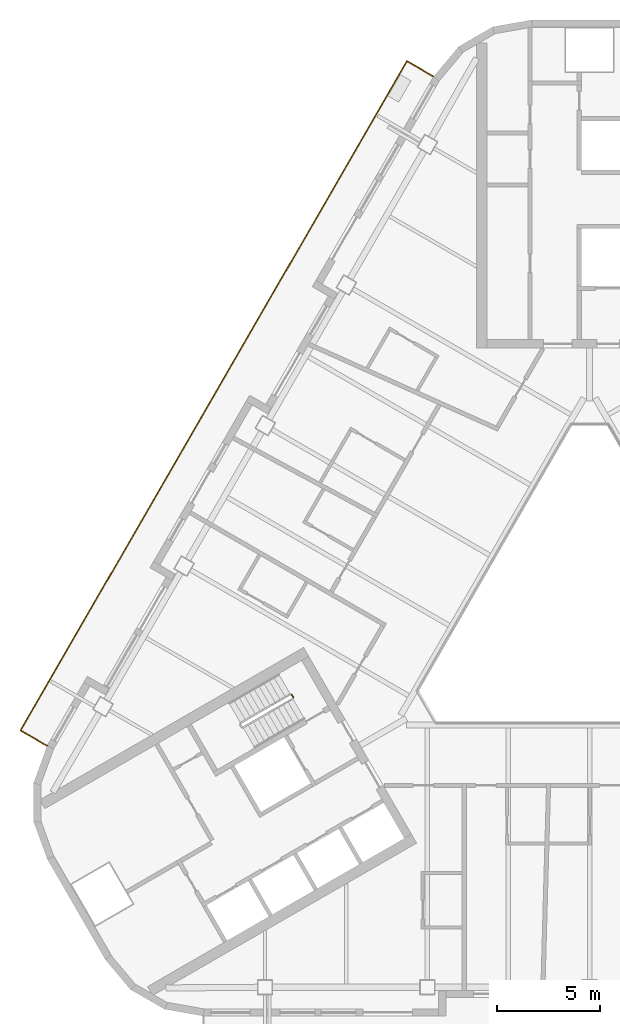
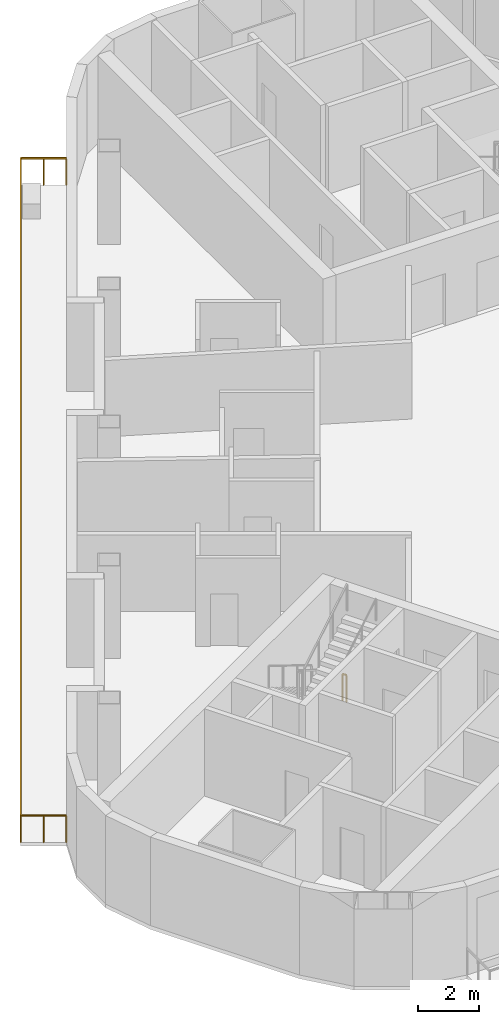
# One storey, part 11 of 14: 2 railings.
"""IFC4 building model written with IfcOpenShell, lengths in metres."""

from ifc_helpers import new_model, si_unit, direction, frame, origin, origin_2d, place, context, subcontext, project, spatial, rectangle, extrude, material, type_object, element, save


model = new_model("IFC4")

# Units and contexts
model_context = context("Model", 3, precision=1e-05, world=origin(), true_north=direction((0.0, 1.0)))
body_context = subcontext(model_context, "Body", "Model", "MODEL_VIEW")
ifc_project = project(units=[si_unit("LENGTHUNIT", "METRE"), si_unit("AREAUNIT", "SQUARE_METRE"), si_unit("VOLUMEUNIT", "CUBIC_METRE"), si_unit("PLANEANGLEUNIT", "RADIAN"), si_unit("MASSUNIT", "GRAM", prefix="KILO")], contexts=[model_context])

# Site, building, storey
site_placement = place(None, origin())
site = spatial("IfcSite", under=ifc_project, at=site_placement, CompositionType="ELEMENT")
building_placement = place(site_placement, origin())
building = spatial("IfcBuilding", under=site, at=building_placement, Name="Apuvela Tower Hotel", CompositionType="ELEMENT")
storey_placement = place(building_placement, frame((0.0, 0.0, 220.60009765625)))
storey = spatial("IfcBuildingStorey", under=building, at=storey_placement, Name="L54", CompositionType="ELEMENT", Elevation=220.60009765625)

# Railings
ifc_material_1 = material(Name="Steel S275 balustrade", Category="steel")
railing_type_1 = type_object("IfcRailingType", Name="COR-GUARD-1100", PredefinedType="GUARDRAIL", material=ifc_material_1)
railing_1_placement = place(storey_placement, frame((-14.500732421875, -3.984130859375, 0.0)))
element("IfcRailing", 1, at=railing_1_placement, inside=storey, type_object=railing_type_1, Name="L54 ST2 stair guard 4", PredefinedType="GUARDRAIL", context=body_context, shape_type="SweptSolid", body=[
    extrude(rectangle(XDim=0.048095703125, YDim=0.048095703125, at=origin_2d()), frame((0.0, 0.0, 1.076171875), z_axis=(0.499816412211, -0.866131372301, 0.0), x_axis=(0.866131372301, 0.499816412211, 0.0)), (0.0, 0.0, 1.0), 0.14990234375),
    extrude(rectangle(XDim=0.0419921875, YDim=0.0419921875, at=origin_2d()), origin(), (0.0, 0.0, 1.0), 1.052001953125),
    extrude(rectangle(XDim=0.0419921875, YDim=0.0419921875, at=origin_2d()), frame((0.074951171875, -0.1298828125, 0.0)), (0.0, 0.0, 1.0), 1.052001953125),
])
ifc_material_2 = material(Name="Stainless steel 316 rail with laminated glass infill", Category="steel")
railing_type_2 = type_object("IfcRailingType", Name="ENV-GUARD-1100", PredefinedType="GUARDRAIL", material=ifc_material_2)
railing_2_placement = place(storey_placement, frame((-7.59228515625, 26.110107421875, 0.0)))
element("IfcRailing", 2, at=railing_2_placement, inside=storey, type_object=railing_type_2, Name="Balcony guard NW L54", PredefinedType="GUARDRAIL", context=body_context, shape_type="SweptSolid", body=[
    extrude(rectangle(XDim=0.050048828125, YDim=0.050048828125, at=origin_2d()), frame((0.0, 0.0, 1.0751953125), z_axis=(-0.86599040064, 0.500060622324, 0.0), x_axis=(-0.500060622324, -0.86599040064, 0.0)), (0.0, 0.0, 1.0), 1.499755859375),
    extrude(rectangle(XDim=0.050048828125, YDim=0.050048828125, at=origin_2d()), frame((-1.298828125, 0.75, 1.0751953125), z_axis=(-0.500000437506, -0.86602515119, 0.0), x_axis=(0.86602515119, -0.500000437506, 0.0)), (0.0, 0.0, 1.0), 37.6318359375),
    extrude(rectangle(XDim=0.050048828125, YDim=0.050048828125, at=origin_2d()), frame((-20.11474609375, -31.840087890625, 1.0751953125), z_axis=(0.866031096941, -0.499990139034, 0.0), x_axis=(0.499990139034, 0.866031096941, 0.0)), (0.0, 0.0, 1.0), 1.5),
    extrude(rectangle(XDim=0.0400390625, YDim=0.0400390625, at=origin_2d()), origin(), (0.0, 0.0, 1.0), 1.050048828125),
    extrude(rectangle(XDim=0.0400390625, YDim=0.0400390625, at=origin_2d()), frame((-0.6494140625, 0.375, 0.0)), (0.0, 0.0, 1.0), 1.050048828125),
    extrude(rectangle(XDim=0.0400390625, YDim=0.0400390625, at=origin_2d()), frame((-1.298828125, 0.75, 0.0)), (0.0, 0.0, 1.0), 1.050048828125),
    extrude(rectangle(XDim=0.0400390625, YDim=0.0400390625, at=origin_2d()), frame((-1.88671875, -0.2685546875, 0.0)), (0.0, 0.0, 1.0), 1.050048828125),
    extrude(rectangle(XDim=0.0400390625, YDim=0.0400390625, at=origin_2d()), frame((-2.474853515625, -1.286865234375, 0.0)), (0.0, 0.0, 1.0), 1.050048828125),
    extrude(rectangle(XDim=0.0400390625, YDim=0.0400390625, at=origin_2d()), frame((-3.062744140625, -2.305419921875, 0.0)), (0.0, 0.0, 1.0), 1.050048828125),
    extrude(rectangle(XDim=0.0400390625, YDim=0.0400390625, at=origin_2d()), frame((-3.65087890625, -3.32373046875, 0.0)), (0.0, 0.0, 1.0), 1.050048828125),
    extrude(rectangle(XDim=0.0400390625, YDim=0.0400390625, at=origin_2d()), frame((-4.23876953125, -4.34228515625, 0.0)), (0.0, 0.0, 1.0), 1.050048828125),
    extrude(rectangle(XDim=0.0400390625, YDim=0.0400390625, at=origin_2d()), frame((-4.826904296875, -5.360595703125, 0.0)), (0.0, 0.0, 1.0), 1.050048828125),
    extrude(rectangle(XDim=0.0400390625, YDim=0.0400390625, at=origin_2d()), frame((-5.414794921875, -6.379150390625, 0.0)), (0.0, 0.0, 1.0), 1.050048828125),
    extrude(rectangle(XDim=0.0400390625, YDim=0.0400390625, at=origin_2d()), frame((-6.0029296875, -7.3974609375, 0.0)), (0.0, 0.0, 1.0), 1.050048828125),
    extrude(rectangle(XDim=0.0400390625, YDim=0.0400390625, at=origin_2d()), frame((-6.5908203125, -8.416015625, 0.0)), (0.0, 0.0, 1.0), 1.050048828125),
    extrude(rectangle(XDim=0.0400390625, YDim=0.0400390625, at=origin_2d()), frame((-7.1787109375, -9.434326171875, 0.0)), (0.0, 0.0, 1.0), 1.050048828125),
    extrude(rectangle(XDim=0.0400390625, YDim=0.0400390625, at=origin_2d()), frame((-7.766845703125, -10.452880859375, 0.0)), (0.0, 0.0, 1.0), 1.050048828125),
    extrude(rectangle(XDim=0.0400390625, YDim=0.0400390625, at=origin_2d()), frame((-8.354736328125, -11.47119140625, 0.0)), (0.0, 0.0, 1.0), 1.050048828125),
    extrude(rectangle(XDim=0.0400390625, YDim=0.0400390625, at=origin_2d()), frame((-8.94287109375, -12.48974609375, 0.0)), (0.0, 0.0, 1.0), 1.050048828125),
    extrude(rectangle(XDim=0.0400390625, YDim=0.0400390625, at=origin_2d()), frame((-9.53076171875, -13.508056640625, 0.0)), (0.0, 0.0, 1.0), 1.050048828125),
    extrude(rectangle(XDim=0.0400390625, YDim=0.0400390625, at=origin_2d()), frame((-10.118896484375, -14.526611328125, 0.0)), (0.0, 0.0, 1.0), 1.050048828125),
    extrude(rectangle(XDim=0.0400390625, YDim=0.0400390625, at=origin_2d()), frame((-10.706787109375, -15.544921875, 0.0)), (0.0, 0.0, 1.0), 1.050048828125),
    extrude(rectangle(XDim=0.0400390625, YDim=0.0400390625, at=origin_2d()), frame((-11.294677734375, -16.5634765625, 0.0)), (0.0, 0.0, 1.0), 1.050048828125),
    extrude(rectangle(XDim=0.0400390625, YDim=0.0400390625, at=origin_2d()), frame((-11.8828125, -17.58203125, 0.0)), (0.0, 0.0, 1.0), 1.050048828125),
    extrude(rectangle(XDim=0.0400390625, YDim=0.0400390625, at=origin_2d()), frame((-12.470703125, -18.600341796875, 0.0)), (0.0, 0.0, 1.0), 1.050048828125),
    extrude(rectangle(XDim=0.0400390625, YDim=0.0400390625, at=origin_2d()), frame((-13.058837890625, -19.618896484375, 0.0)), (0.0, 0.0, 1.0), 1.050048828125),
    extrude(rectangle(XDim=0.0400390625, YDim=0.0400390625, at=origin_2d()), frame((-13.646728515625, -20.63720703125, 0.0)), (0.0, 0.0, 1.0), 1.050048828125),
    extrude(rectangle(XDim=0.0400390625, YDim=0.0400390625, at=origin_2d()), frame((-14.23486328125, -21.65576171875, 0.0)), (0.0, 0.0, 1.0), 1.050048828125),
    extrude(rectangle(XDim=0.0400390625, YDim=0.0400390625, at=origin_2d()), frame((-14.82275390625, -22.674072265625, 0.0)), (0.0, 0.0, 1.0), 1.050048828125),
    extrude(rectangle(XDim=0.0400390625, YDim=0.0400390625, at=origin_2d()), frame((-15.41064453125, -23.692626953125, 0.0)), (0.0, 0.0, 1.0), 1.050048828125),
    extrude(rectangle(XDim=0.0400390625, YDim=0.0400390625, at=origin_2d()), frame((-15.998779296875, -24.7109375, 0.0)), (0.0, 0.0, 1.0), 1.050048828125),
    extrude(rectangle(XDim=0.0400390625, YDim=0.0400390625, at=origin_2d()), frame((-16.586669921875, -25.7294921875, 0.0)), (0.0, 0.0, 1.0), 1.050048828125),
    extrude(rectangle(XDim=0.0400390625, YDim=0.0400390625, at=origin_2d()), frame((-17.1748046875, -26.747802734375, 0.0)), (0.0, 0.0, 1.0), 1.050048828125),
    extrude(rectangle(XDim=0.0400390625, YDim=0.0400390625, at=origin_2d()), frame((-17.7626953125, -27.766357421875, 0.0)), (0.0, 0.0, 1.0), 1.050048828125),
    extrude(rectangle(XDim=0.0400390625, YDim=0.0400390625, at=origin_2d()), frame((-18.350830078125, -28.78466796875, 0.0)), (0.0, 0.0, 1.0), 1.050048828125),
    extrude(rectangle(XDim=0.0400390625, YDim=0.0400390625, at=origin_2d()), frame((-18.938720703125, -29.80322265625, 0.0)), (0.0, 0.0, 1.0), 1.050048828125),
    extrude(rectangle(XDim=0.0400390625, YDim=0.0400390625, at=origin_2d()), frame((-19.52685546875, -30.821533203125, 0.0)), (0.0, 0.0, 1.0), 1.050048828125),
    extrude(rectangle(XDim=0.0400390625, YDim=0.0400390625, at=origin_2d()), frame((-20.11474609375, -31.840087890625, 0.0)), (0.0, 0.0, 1.0), 1.050048828125),
    extrude(rectangle(XDim=0.0400390625, YDim=0.0400390625, at=origin_2d()), frame((-19.46533203125, -32.215087890625, 0.0)), (0.0, 0.0, 1.0), 1.050048828125),
    extrude(rectangle(XDim=0.0400390625, YDim=0.0400390625, at=origin_2d()), frame((-18.815673828125, -32.590087890625, 0.0)), (0.0, 0.0, 1.0), 1.050048828125),
])

save(model, "model.ifc")
